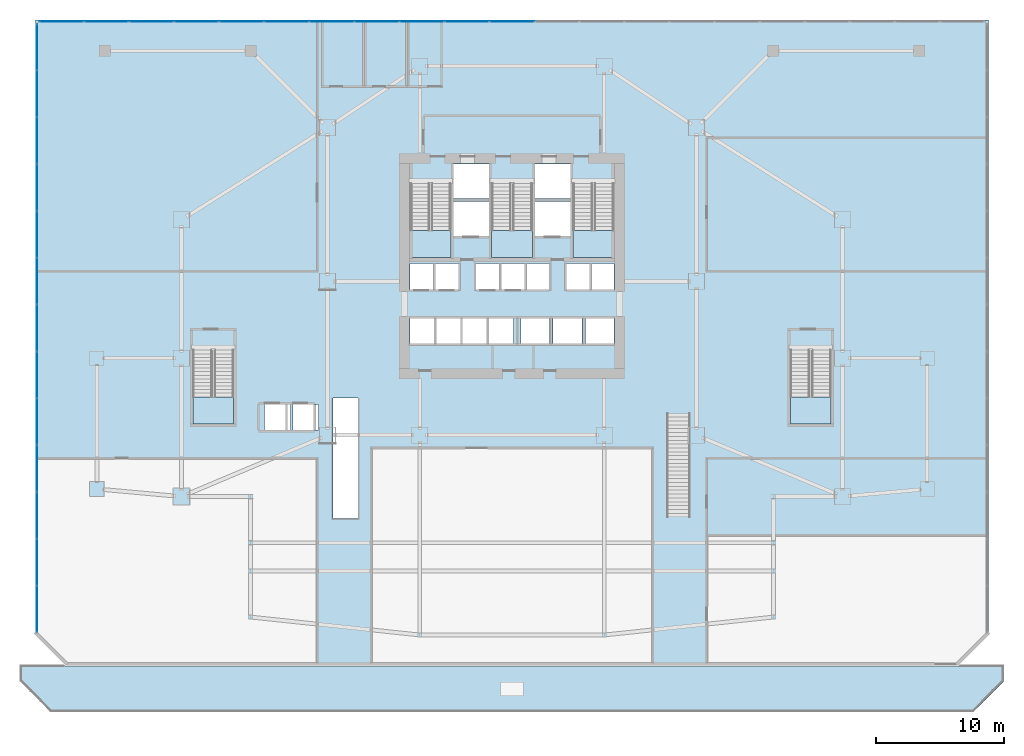
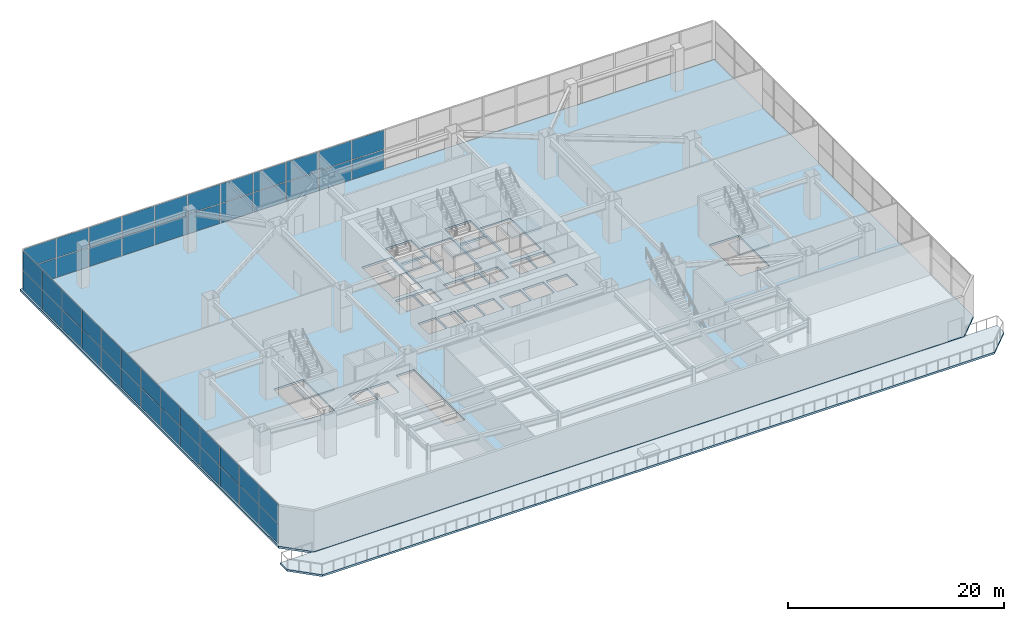
# One storey, part 22 of 31: 48 plates, 7 slabs, 7 elements without a shape of their own.
"""IFC4 building model written with IfcOpenShell, lengths in metres."""

import ifcopenshell
import ifcopenshell.guid

model = None  # the IFC model being written
_history = None  # IfcOwnerHistory: only IFC2X3 demands one
_inside = {}  # id of a spatial element -> (the spatial element, [elements in it])
_under = {}  # id of a project, library or spatial element -> (it, [spatial elements below it])
_declared = {}  # id of a project -> (the project, [libraries it declares])
_typed = {}  # id of a type object -> (the type object, [elements of that type])
_made_of = {}  # id of a material, layer set ... -> (it, [elements and type objects made of it])


def new_model(schema):
    """Start an empty IFC model of exactly this schema.

    Asked for "IFC4X3", IfcOpenShell would pick the latest addendum, in which some entities
    have other attributes; the version numbers below select the first issue.
    IFC2X3 requires an IfcOwnerHistory on every rooted entity: one is made here for all.
    """
    global model, _history
    if schema == "IFC4X3":
        model = ifcopenshell.file(schema_version=(4, 3, 0, 0))
    else:
        model = ifcopenshell.file(schema=schema)
    _inside.clear()
    _under.clear()
    _declared.clear()
    _typed.clear()
    _made_of.clear()
    _history = None
    if model.schema == "IFC2X3":
        org = make("IfcOrganization", Name="unknown")
        user = make(
            "IfcPersonAndOrganization",
            ThePerson=make("IfcPerson", FamilyName="unknown"),
            TheOrganization=org,
        )
        app = make(
            "IfcApplication",
            ApplicationDeveloper=org,
            Version="unknown",
            ApplicationFullName="unknown",
            ApplicationIdentifier="unknown",
        )
        _history = make(
            "IfcOwnerHistory",
            OwningUser=user,
            OwningApplication=app,
            ChangeAction="ADDED",
            CreationDate=0,
        )
    return model


def make(cls, **values):
    """One entity of the class cls with the attributes given. An attribute that is None is left unset."""
    return model.create_entity(
        cls, **{name: value for name, value in values.items() if value is not None}
    )


def rooted(cls, **values):
    """An entity with a GlobalId (a new one), such as an element, a storey or a relation."""
    return make(cls, GlobalId=ifcopenshell.guid.new(), OwnerHistory=_history, **values)


def si_unit(unit_type, name, prefix=None):
    """IfcSIUnit, for example si_unit("LENGTHUNIT", "METRE", prefix="MILLI")."""
    return make("IfcSIUnit", UnitType=unit_type, Prefix=prefix, Name=name)


def assignment(units):
    """IfcUnitAssignment: the units of a project."""
    return None if units is None else make("IfcUnitAssignment", Units=units)


def point(xyz):
    """IfcCartesianPoint."""
    return None if xyz is None else make("IfcCartesianPoint", Coordinates=xyz)


def direction(xyz):
    """IfcDirection."""
    return None if xyz is None else make("IfcDirection", DirectionRatios=xyz)


def frame(location, z_axis=None, x_axis=None):
    """IfcAxis2Placement3D, a coordinate frame: its origin and axes. An axis left out is left unset."""
    return make(
        "IfcAxis2Placement3D",
        Location=point(location),
        Axis=direction(z_axis),
        RefDirection=direction(x_axis),
    )


def frame_2d(location, x_axis=None):
    """IfcAxis2Placement2D, a coordinate frame in the plane: its origin and x axis."""
    return make(
        "IfcAxis2Placement2D", Location=point(location), RefDirection=direction(x_axis)
    )


def origin():
    """The frame at (0, 0, 0) with its axes left unset."""
    return frame((0.0, 0.0, 0.0))


def origin_2d():
    """The frame at (0, 0) in the plane with its x axis left unset."""
    return frame_2d((0.0, 0.0))


def place(relative_to, where):
    """IfcLocalPlacement: puts the frame where relative to a parent placement (None: the world)."""
    return make(
        "IfcLocalPlacement", PlacementRelTo=relative_to, RelativePlacement=where
    )


def context(
    kind, dimensions, precision=None, world=None, true_north=None, identifier=None
):
    """IfcGeometricRepresentationContext, for example the 3D "Model" context."""
    return make(
        "IfcGeometricRepresentationContext",
        ContextIdentifier=identifier,
        ContextType=kind,
        CoordinateSpaceDimension=dimensions,
        Precision=precision,
        WorldCoordinateSystem=world,
        TrueNorth=true_north,
    )


def subcontext(parent, identifier, kind, view, scale=None):
    """IfcGeometricRepresentationSubContext, for example "Body" below "Model"."""
    return make(
        "IfcGeometricRepresentationSubContext",
        ContextIdentifier=identifier,
        ContextType=kind,
        ParentContext=parent,
        TargetScale=scale,
        TargetView=view,
    )


def project(units=None, contexts=None):
    """IfcProject with its units and contexts."""
    return rooted(
        "IfcProject",
        Name="project",
        RepresentationContexts=contexts,
        UnitsInContext=assignment(units),
    )


def spatial(cls, under=None, at=None, **own):
    """A site, building, storey or space (cls), placed at a placement, below another one or the project."""
    s = rooted(cls, ObjectPlacement=at, **own)
    if under is not None:
        _under.setdefault(under.id(), (under, []))[1].append(s)
    return s


def polyline(points):
    """IfcPolyline through the points."""
    return make("IfcPolyline", Points=[point(p) for p in points])


def profile(cls, at=None, kind="AREA", **sizes):
    """A parametric profile (cls). Its sizes go by their IFC names, for example OverallWidth=200.0."""
    return make(cls, ProfileType=kind, Position=at, **sizes)


def rectangle(**sizes):
    """IfcRectangleProfileDef."""
    return profile("IfcRectangleProfileDef", **sizes)


def outline(outer, holes=None, kind="AREA"):
    """IfcArbitraryClosedProfileDef: a profile drawn as a closed curve; with holes, ...WithVoids."""
    if holes is None:
        return make("IfcArbitraryClosedProfileDef", ProfileType=kind, OuterCurve=outer)
    return make(
        "IfcArbitraryProfileDefWithVoids",
        ProfileType=kind,
        OuterCurve=outer,
        InnerCurves=holes,
    )


def extrude(swept, where, along, depth):
    """IfcExtrudedAreaSolid: the profile swept, set in the frame where, extruded along a direction by depth."""
    return make(
        "IfcExtrudedAreaSolid",
        SweptArea=swept,
        Position=where,
        ExtrudedDirection=direction(along),
        Depth=depth,
    )


def shape(context_of_items, identifier, shape_type, items):
    """IfcShapeRepresentation: the items that make up one representation, for example the "Body"."""
    return make(
        "IfcShapeRepresentation",
        ContextOfItems=context_of_items,
        RepresentationIdentifier=identifier,
        RepresentationType=shape_type,
        Items=items,
    )


def material(Name=None, Category=None):
    """IfcMaterial."""
    return make("IfcMaterial", Name=Name, Category=Category)


def layer(
    of_material, thickness, ventilated=None, Name=None, Category=None, Priority=None
):
    """IfcMaterialLayer: one layer of a wall or slab, of a material (None: an air gap)."""
    return make(
        "IfcMaterialLayer",
        Material=of_material,
        LayerThickness=thickness,
        IsVentilated=ventilated,
        Name=Name,
        Category=Category,
        Priority=Priority,
    )


def layer_set(layers, Name=None):
    """IfcMaterialLayerSet."""
    return make("IfcMaterialLayerSet", MaterialLayers=layers, LayerSetName=Name)


def made_of(thing, what):
    """Note that an element or type object is made of a material, layer set ...; save() writes the relation."""
    if what is not None:
        _made_of.setdefault(what.id(), (what, []))[1].append(thing)
    return thing


def type_object(cls, material=None, **own):
    """A type object (cls), such as IfcWallType, which elements share."""
    return made_of(rooted(cls, **own), material)


def element(
    cls,
    number,
    at=None,
    inside=None,
    cuts=None,
    type_object=None,
    material=None,
    context=None,
    identifier="Body",
    shape_type=None,
    held_by="IfcProductDefinitionShape",
    body=None,
    shapes=None,
    **own,
):
    """One element of the class cls, such as IfcWall. Its Tag is "e" and its number.

    at: its placement. inside: the storey or other place that contains it. cuts: it is an
    opening in that element (IfcRelVoidsElement). A single representation is given by context,
    identifier, shape_type and body (its items); several are given by shapes. held_by: the class
    of the entity that holds the representations. save() writes the other relations.
    """
    e = rooted(cls, Tag="e%d" % number, ObjectPlacement=at, **own)
    if body is not None:
        shapes = [shape(context, identifier, shape_type, body)]
    if shapes is not None:
        e.Representation = make(held_by, Representations=shapes)
    if inside is not None:
        _inside.setdefault(inside.id(), (inside, []))[1].append(e)
    if cuts is not None:
        rooted(
            "IfcRelVoidsElement", RelatingBuildingElement=cuts, RelatedOpeningElement=e
        )
    if type_object is not None:
        _typed.setdefault(type_object.id(), (type_object, []))[1].append(e)
    return made_of(e, material)


def aggregate(whole, parts):
    """IfcRelAggregates: a whole, such as a stair, and the parts it consists of."""
    return rooted("IfcRelAggregates", RelatingObject=whole, RelatedObjects=parts)


def save(model, path):
    """Write the relations noted so far, then the file.

    IfcRelAggregates (storeys below a building ...), IfcRelContainedInSpatialStructure (elements
    in a storey), IfcRelDefinesByType, IfcRelAssociatesMaterial and IfcRelDeclares: one each for
    every whole, place, type object, material and project.
    """
    for whole, parts in _under.values():
        aggregate(whole, parts)
    for where, things in _inside.values():
        rooted(
            "IfcRelContainedInSpatialStructure",
            RelatedElements=things,
            RelatingStructure=where,
        )
    for kind, things in _typed.values():
        rooted("IfcRelDefinesByType", RelatedObjects=things, RelatingType=kind)
    for what, things in _made_of.values():
        rooted("IfcRelAssociatesMaterial", RelatedObjects=things, RelatingMaterial=what)
    for by, libraries in _declared.values():
        rooted("IfcRelDeclares", RelatingContext=by, RelatedDefinitions=libraries)
    model.write(path)


model = new_model("IFC4")

# Units and contexts
model_context = context("Model", 3, precision=1e-05, world=origin(), true_north=direction((0.0, 1.0)))
body_context = subcontext(model_context, "Body", "Model", "MODEL_VIEW")
ifc_project = project(units=[si_unit("LENGTHUNIT", "METRE"), si_unit("AREAUNIT", "SQUARE_METRE"), si_unit("VOLUMEUNIT", "CUBIC_METRE"), si_unit("PLANEANGLEUNIT", "RADIAN"), si_unit("MASSUNIT", "GRAM", prefix="KILO")], contexts=[model_context])

# Site, building, storey
site_placement = place(None, origin())
site = spatial("IfcSite", under=ifc_project, at=site_placement, CompositionType="ELEMENT")
building_placement = place(site_placement, origin())
building = spatial("IfcBuilding", under=site, at=building_placement, Name="Haolan Belvedere Tower", CompositionType="ELEMENT")
storey_placement = place(building_placement, frame((0.0, 0.0, 5.39990234375)))
storey = spatial("IfcBuildingStorey", under=building, at=storey_placement, Name="L01", CompositionType="ELEMENT", Elevation=5.39990234375)

# Curtain wall, plates
ifc_material_1 = material(Name="Anodised champagne-silver aluminium 6063-T6 and Low-E glass", Category="aluminium")
ifc_layer_1 = layer(ifc_material_1, 0.179931640625, Name="Anodised champagne-silver aluminium 6063-T6 and Low-E glass")
ifc_layer_set_1 = layer_set([ifc_layer_1], Name="Anodised champagne-silver aluminium 6063-T6 and Low-E glass")
curtain_wall_type = type_object("IfcCurtainWallType", Name="CW-SYS-01", PredefinedType="NOTDEFINED", material=ifc_layer_set_1)
curtain_wall_1_placement = place(storey_placement, origin())
curtain_wall_1 = element("IfcCurtainWall", 1, at=curtain_wall_1_placement, inside=storey, type_object=curtain_wall_type, Name="L01 CW-SYS-01 ribbon curtain wall 3.1", PredefinedType="NOTDEFINED")
ifc_material_2 = material(Name="Double silver Low-E laminated insulating glass", Category="glass")
ifc_layer_2 = layer(ifc_material_2, 0.028076171875, Name="Double silver Low-E laminated insulating glass")
ifc_layer_set_2 = layer_set([ifc_layer_2], Name="Double silver Low-E laminated insulating glass")
plate_type = type_object("IfcPlateType", Name="CW-SYS-01-PNL", PredefinedType="CURTAIN_PANEL", material=ifc_layer_set_2)
plate_1_placement = place(storey_placement, frame((38.39990234375, 53.8701171875, 0.06005859375), z_axis=(0.0, 0.0, 1.0), x_axis=(-1.0, 0.0, 0.0)))
plate_1 = element("IfcPlate", 2, at=plate_1_placement, type_object=plate_type, Name="CW-01 panel 11.1", PredefinedType="CURTAIN_PANEL", context=body_context, shape_type="SweptSolid", body=[
    extrude(rectangle(XDim=3.4521484375, YDim=0.028076171875, at=origin_2d()), origin(), (0.0, 0.0, 1.0), 2.18994140625),
])
plate_2_placement = place(storey_placement, frame((38.39990234375, 53.8701171875, 2.31005859375), z_axis=(0.0, 0.0, 1.0), x_axis=(-1.0, 0.0, 0.0)))
plate_2 = element("IfcPlate", 3, at=plate_2_placement, type_object=plate_type, Name="CW-01 panel 11.2", PredefinedType="CURTAIN_PANEL", context=body_context, shape_type="SweptSolid", body=[
    extrude(rectangle(XDim=3.4521484375, YDim=0.028076171875, at=origin_2d()), origin(), (0.0, 0.0, 1.0), 2.18994140625),
])
plate_3_placement = place(storey_placement, frame((34.8828125, 53.8701171875, 0.06005859375), z_axis=(0.0, 0.0, 1.0), x_axis=(-1.0, 0.0, 0.0)))
plate_3 = element("IfcPlate", 4, at=plate_3_placement, type_object=plate_type, Name="CW-01 panel 12.1", PredefinedType="CURTAIN_PANEL", context=body_context, shape_type="SweptSolid", body=[
    extrude(rectangle(XDim=3.4521484375, YDim=0.028076171875, at=origin_2d()), origin(), (0.0, 0.0, 1.0), 2.18994140625),
])
plate_4_placement = place(storey_placement, frame((34.8828125, 53.8701171875, 2.31005859375), z_axis=(0.0, 0.0, 1.0), x_axis=(-1.0, 0.0, 0.0)))
plate_4 = element("IfcPlate", 5, at=plate_4_placement, type_object=plate_type, Name="CW-01 panel 12.2", PredefinedType="CURTAIN_PANEL", context=body_context, shape_type="SweptSolid", body=[
    extrude(rectangle(XDim=3.4521484375, YDim=0.028076171875, at=origin_2d()), origin(), (0.0, 0.0, 1.0), 2.18994140625),
])
plate_5_placement = place(storey_placement, frame((31.36572265625, 53.8701171875, 0.06005859375), z_axis=(0.0, 0.0, 1.0), x_axis=(-1.0, 0.0, 0.0)))
plate_5 = element("IfcPlate", 6, at=plate_5_placement, type_object=plate_type, Name="CW-01 panel 13.1", PredefinedType="CURTAIN_PANEL", context=body_context, shape_type="SweptSolid", body=[
    extrude(rectangle(XDim=3.4521484375, YDim=0.028076171875, at=origin_2d()), origin(), (0.0, 0.0, 1.0), 2.18994140625),
])
plate_6_placement = place(storey_placement, frame((31.36572265625, 53.8701171875, 2.31005859375), z_axis=(0.0, 0.0, 1.0), x_axis=(-1.0, 0.0, 0.0)))
plate_6 = element("IfcPlate", 7, at=plate_6_placement, type_object=plate_type, Name="CW-01 panel 13.2", PredefinedType="CURTAIN_PANEL", context=body_context, shape_type="SweptSolid", body=[
    extrude(rectangle(XDim=3.4521484375, YDim=0.028076171875, at=origin_2d()), origin(), (0.0, 0.0, 1.0), 2.18994140625),
])
plate_7_placement = place(storey_placement, frame((27.8486328125, 53.8701171875, 0.06005859375), z_axis=(0.0, 0.0, 1.0), x_axis=(-1.0, 0.0, 0.0)))
plate_7 = element("IfcPlate", 8, at=plate_7_placement, type_object=plate_type, Name="CW-01 panel 14.1", PredefinedType="CURTAIN_PANEL", context=body_context, shape_type="SweptSolid", body=[
    extrude(rectangle(XDim=3.4521484375, YDim=0.028076171875, at=origin_2d()), origin(), (0.0, 0.0, 1.0), 2.18994140625),
])
plate_8_placement = place(storey_placement, frame((27.8486328125, 53.8701171875, 2.31005859375), z_axis=(0.0, 0.0, 1.0), x_axis=(-1.0, 0.0, 0.0)))
plate_8 = element("IfcPlate", 9, at=plate_8_placement, type_object=plate_type, Name="CW-01 panel 14.2", PredefinedType="CURTAIN_PANEL", context=body_context, shape_type="SweptSolid", body=[
    extrude(rectangle(XDim=3.4521484375, YDim=0.028076171875, at=origin_2d()), origin(), (0.0, 0.0, 1.0), 2.18994140625),
])
plate_9_placement = place(storey_placement, frame((24.33154296875, 53.8701171875, 0.06005859375), z_axis=(0.0, 0.0, 1.0), x_axis=(-1.0, 0.0, 0.0)))
plate_9 = element("IfcPlate", 10, at=plate_9_placement, type_object=plate_type, Name="CW-01 panel 15.1", PredefinedType="CURTAIN_PANEL", context=body_context, shape_type="SweptSolid", body=[
    extrude(rectangle(XDim=3.4521484375, YDim=0.028076171875, at=origin_2d()), origin(), (0.0, 0.0, 1.0), 2.18994140625),
])
plate_10_placement = place(storey_placement, frame((24.33154296875, 53.8701171875, 2.31005859375), z_axis=(0.0, 0.0, 1.0), x_axis=(-1.0, 0.0, 0.0)))
plate_10 = element("IfcPlate", 11, at=plate_10_placement, type_object=plate_type, Name="CW-01 panel 15.2", PredefinedType="CURTAIN_PANEL", context=body_context, shape_type="SweptSolid", body=[
    extrude(rectangle(XDim=3.4521484375, YDim=0.028076171875, at=origin_2d()), origin(), (0.0, 0.0, 1.0), 2.18994140625),
])
plate_11_placement = place(storey_placement, frame((20.814208984375, 53.8701171875, 0.06005859375), z_axis=(0.0, 0.0, 1.0), x_axis=(-1.0, 0.0, 0.0)))
plate_11 = element("IfcPlate", 12, at=plate_11_placement, type_object=plate_type, Name="CW-01 panel 16.1", PredefinedType="CURTAIN_PANEL", context=body_context, shape_type="SweptSolid", body=[
    extrude(rectangle(XDim=3.4521484375, YDim=0.028076171875, at=origin_2d()), origin(), (0.0, 0.0, 1.0), 2.18994140625),
])
plate_12_placement = place(storey_placement, frame((20.814208984375, 53.8701171875, 2.31005859375), z_axis=(0.0, 0.0, 1.0), x_axis=(-1.0, 0.0, 0.0)))
plate_12 = element("IfcPlate", 13, at=plate_12_placement, type_object=plate_type, Name="CW-01 panel 16.2", PredefinedType="CURTAIN_PANEL", context=body_context, shape_type="SweptSolid", body=[
    extrude(rectangle(XDim=3.4521484375, YDim=0.028076171875, at=origin_2d()), origin(), (0.0, 0.0, 1.0), 2.18994140625),
])
plate_13_placement = place(storey_placement, frame((17.297119140625, 53.8701171875, 0.06005859375), z_axis=(0.0, 0.0, 1.0), x_axis=(-1.0, 0.0, 0.0)))
plate_13 = element("IfcPlate", 14, at=plate_13_placement, type_object=plate_type, Name="CW-01 panel 17.1", PredefinedType="CURTAIN_PANEL", context=body_context, shape_type="SweptSolid", body=[
    extrude(rectangle(XDim=3.4521484375, YDim=0.028076171875, at=origin_2d()), origin(), (0.0, 0.0, 1.0), 2.18994140625),
])
plate_14_placement = place(storey_placement, frame((17.297119140625, 53.8701171875, 2.31005859375), z_axis=(0.0, 0.0, 1.0), x_axis=(-1.0, 0.0, 0.0)))
plate_14 = element("IfcPlate", 15, at=plate_14_placement, type_object=plate_type, Name="CW-01 panel 17.2", PredefinedType="CURTAIN_PANEL", context=body_context, shape_type="SweptSolid", body=[
    extrude(rectangle(XDim=3.4521484375, YDim=0.028076171875, at=origin_2d()), origin(), (0.0, 0.0, 1.0), 2.18994140625),
])
plate_15_placement = place(storey_placement, frame((13.780029296875, 53.8701171875, 0.06005859375), z_axis=(0.0, 0.0, 1.0), x_axis=(-1.0, 0.0, 0.0)))
plate_15 = element("IfcPlate", 16, at=plate_15_placement, type_object=plate_type, Name="CW-01 panel 18.1", PredefinedType="CURTAIN_PANEL", context=body_context, shape_type="SweptSolid", body=[
    extrude(rectangle(XDim=3.4521484375, YDim=0.028076171875, at=origin_2d()), origin(), (0.0, 0.0, 1.0), 2.18994140625),
])
plate_16_placement = place(storey_placement, frame((13.780029296875, 53.8701171875, 2.31005859375), z_axis=(0.0, 0.0, 1.0), x_axis=(-1.0, 0.0, 0.0)))
plate_16 = element("IfcPlate", 17, at=plate_16_placement, type_object=plate_type, Name="CW-01 panel 18.2", PredefinedType="CURTAIN_PANEL", context=body_context, shape_type="SweptSolid", body=[
    extrude(rectangle(XDim=3.4521484375, YDim=0.028076171875, at=origin_2d()), origin(), (0.0, 0.0, 1.0), 2.18994140625),
])
plate_17_placement = place(storey_placement, frame((10.262939453125, 53.8701171875, 0.06005859375), z_axis=(0.0, 0.0, 1.0), x_axis=(-1.0, 0.0, 0.0)))
plate_17 = element("IfcPlate", 18, at=plate_17_placement, type_object=plate_type, Name="CW-01 panel 19.1", PredefinedType="CURTAIN_PANEL", context=body_context, shape_type="SweptSolid", body=[
    extrude(rectangle(XDim=3.4521484375, YDim=0.028076171875, at=origin_2d()), origin(), (0.0, 0.0, 1.0), 2.18994140625),
])
plate_18_placement = place(storey_placement, frame((10.262939453125, 53.8701171875, 2.31005859375), z_axis=(0.0, 0.0, 1.0), x_axis=(-1.0, 0.0, 0.0)))
plate_18 = element("IfcPlate", 19, at=plate_18_placement, type_object=plate_type, Name="CW-01 panel 19.2", PredefinedType="CURTAIN_PANEL", context=body_context, shape_type="SweptSolid", body=[
    extrude(rectangle(XDim=3.4521484375, YDim=0.028076171875, at=origin_2d()), origin(), (0.0, 0.0, 1.0), 2.18994140625),
])
plate_19_placement = place(storey_placement, frame((6.74560546875, 53.8701171875, 0.06005859375), z_axis=(0.0, 0.0, 1.0), x_axis=(-1.0, 0.0, 0.0)))
plate_19 = element("IfcPlate", 20, at=plate_19_placement, type_object=plate_type, Name="CW-01 panel 20.1", PredefinedType="CURTAIN_PANEL", context=body_context, shape_type="SweptSolid", body=[
    extrude(rectangle(XDim=3.4521484375, YDim=0.028076171875, at=origin_2d()), origin(), (0.0, 0.0, 1.0), 2.18994140625),
])
plate_20_placement = place(storey_placement, frame((6.74560546875, 53.8701171875, 2.31005859375), z_axis=(0.0, 0.0, 1.0), x_axis=(-1.0, 0.0, 0.0)))
plate_20 = element("IfcPlate", 21, at=plate_20_placement, type_object=plate_type, Name="CW-01 panel 20.2", PredefinedType="CURTAIN_PANEL", context=body_context, shape_type="SweptSolid", body=[
    extrude(rectangle(XDim=3.4521484375, YDim=0.028076171875, at=origin_2d()), origin(), (0.0, 0.0, 1.0), 2.18994140625),
])
plate_21_placement = place(storey_placement, frame((3.244873046875, 53.8701171875, 0.06005859375), z_axis=(0.0, 0.0, 1.0), x_axis=(-1.0, 0.0, 0.0)))
plate_21 = element("IfcPlate", 22, at=plate_21_placement, type_object=plate_type, Name="CW-01 panel 21.1", PredefinedType="CURTAIN_PANEL", context=body_context, shape_type="SweptSolid", body=[
    extrude(rectangle(XDim=3.419677734375, YDim=0.028076171875, at=origin_2d()), origin(), (0.0, 0.0, 1.0), 2.18994140625),
])
plate_22_placement = place(storey_placement, frame((3.244873046875, 53.8701171875, 2.31005859375), z_axis=(0.0, 0.0, 1.0), x_axis=(-1.0, 0.0, 0.0)))
plate_22 = element("IfcPlate", 23, at=plate_22_placement, type_object=plate_type, Name="CW-01 panel 21.2", PredefinedType="CURTAIN_PANEL", context=body_context, shape_type="SweptSolid", body=[
    extrude(rectangle(XDim=3.419677734375, YDim=0.028076171875, at=origin_2d()), origin(), (0.0, 0.0, 1.0), 2.18994140625),
])
aggregate(curtain_wall_1, [plate_1, plate_2, plate_3, plate_4, plate_5, plate_6, plate_7, plate_8, plate_9, plate_10, plate_11, plate_12, plate_13, plate_14, plate_15, plate_16, plate_17, plate_18, plate_19, plate_20, plate_21, plate_22])

curtain_wall_2_placement = place(storey_placement, origin())
curtain_wall_2 = element("IfcCurtainWall", 24, at=curtain_wall_2_placement, inside=storey, type_object=curtain_wall_type, Name="L01 CW-SYS-01 ribbon curtain wall 4.1", PredefinedType="NOTDEFINED")
plate_23_placement = place(storey_placement, frame((1.330078125, 51.885498046875, 0.06005859375), z_axis=(0.0, 0.0, 1.0), x_axis=(0.0, -1.0, 0.0)))
plate_23 = element("IfcPlate", 25, at=plate_23_placement, type_object=plate_type, Name="CW-01 panel 1.1", PredefinedType="CURTAIN_PANEL", context=body_context, shape_type="SweptSolid", body=[
    extrude(rectangle(XDim=3.55908203125, YDim=0.028076171875, at=origin_2d()), origin(), (0.0, 0.0, 1.0), 2.18994140625),
])
plate_24_placement = place(storey_placement, frame((1.330078125, 51.885498046875, 2.31005859375), z_axis=(0.0, 0.0, 1.0), x_axis=(0.0, -1.0, 0.0)))
plate_24 = element("IfcPlate", 26, at=plate_24_placement, type_object=plate_type, Name="CW-01 panel 1.2", PredefinedType="CURTAIN_PANEL", context=body_context, shape_type="SweptSolid", body=[
    extrude(rectangle(XDim=3.55908203125, YDim=0.028076171875, at=origin_2d()), origin(), (0.0, 0.0, 1.0), 2.18994140625),
])
plate_25_placement = place(storey_placement, frame((1.330078125, 48.2451171875, 0.06005859375), z_axis=(0.0, 0.0, 1.0), x_axis=(0.0, -1.0, 0.0)))
plate_25 = element("IfcPlate", 27, at=plate_25_placement, type_object=plate_type, Name="CW-01 panel 2.1", PredefinedType="CURTAIN_PANEL", context=body_context, shape_type="SweptSolid", body=[
    extrude(rectangle(XDim=3.591552734375, YDim=0.028076171875, at=origin_2d()), origin(), (0.0, 0.0, 1.0), 2.18994140625),
])
plate_26_placement = place(storey_placement, frame((1.330078125, 48.2451171875, 2.31005859375), z_axis=(0.0, 0.0, 1.0), x_axis=(0.0, -1.0, 0.0)))
plate_26 = element("IfcPlate", 28, at=plate_26_placement, type_object=plate_type, Name="CW-01 panel 2.2", PredefinedType="CURTAIN_PANEL", context=body_context, shape_type="SweptSolid", body=[
    extrude(rectangle(XDim=3.591552734375, YDim=0.028076171875, at=origin_2d()), origin(), (0.0, 0.0, 1.0), 2.18994140625),
])
plate_27_placement = place(storey_placement, frame((1.330078125, 44.58837890625, 0.06005859375), z_axis=(0.0, 0.0, 1.0), x_axis=(0.0, -1.0, 0.0)))
plate_27 = element("IfcPlate", 29, at=plate_27_placement, type_object=plate_type, Name="CW-01 panel 3.1", PredefinedType="CURTAIN_PANEL", context=body_context, shape_type="SweptSolid", body=[
    extrude(rectangle(XDim=3.591552734375, YDim=0.028076171875, at=origin_2d()), origin(), (0.0, 0.0, 1.0), 2.18994140625),
])
plate_28_placement = place(storey_placement, frame((1.330078125, 44.58837890625, 2.31005859375), z_axis=(0.0, 0.0, 1.0), x_axis=(0.0, -1.0, 0.0)))
plate_28 = element("IfcPlate", 30, at=plate_28_placement, type_object=plate_type, Name="CW-01 panel 3.2", PredefinedType="CURTAIN_PANEL", context=body_context, shape_type="SweptSolid", body=[
    extrude(rectangle(XDim=3.591552734375, YDim=0.028076171875, at=origin_2d()), origin(), (0.0, 0.0, 1.0), 2.18994140625),
])
plate_29_placement = place(storey_placement, frame((1.330078125, 40.931884765625, 0.06005859375), z_axis=(0.0, 0.0, 1.0), x_axis=(0.0, -1.0, 0.0)))
plate_29 = element("IfcPlate", 31, at=plate_29_placement, type_object=plate_type, Name="CW-01 panel 4.1", PredefinedType="CURTAIN_PANEL", context=body_context, shape_type="SweptSolid", body=[
    extrude(rectangle(XDim=3.591552734375, YDim=0.028076171875, at=origin_2d()), origin(), (0.0, 0.0, 1.0), 2.18994140625),
])
plate_30_placement = place(storey_placement, frame((1.330078125, 40.931884765625, 2.31005859375), z_axis=(0.0, 0.0, 1.0), x_axis=(0.0, -1.0, 0.0)))
plate_30 = element("IfcPlate", 32, at=plate_30_placement, type_object=plate_type, Name="CW-01 panel 4.2", PredefinedType="CURTAIN_PANEL", context=body_context, shape_type="SweptSolid", body=[
    extrude(rectangle(XDim=3.591552734375, YDim=0.028076171875, at=origin_2d()), origin(), (0.0, 0.0, 1.0), 2.18994140625),
])
plate_31_placement = place(storey_placement, frame((1.330078125, 37.275146484375, 0.06005859375), z_axis=(0.0, 0.0, 1.0), x_axis=(0.0, -1.0, 0.0)))
plate_31 = element("IfcPlate", 33, at=plate_31_placement, type_object=plate_type, Name="CW-01 panel 5.1", PredefinedType="CURTAIN_PANEL", context=body_context, shape_type="SweptSolid", body=[
    extrude(rectangle(XDim=3.591552734375, YDim=0.028076171875, at=origin_2d()), origin(), (0.0, 0.0, 1.0), 2.18994140625),
])
plate_32_placement = place(storey_placement, frame((1.330078125, 37.275146484375, 2.31005859375), z_axis=(0.0, 0.0, 1.0), x_axis=(0.0, -1.0, 0.0)))
plate_32 = element("IfcPlate", 34, at=plate_32_placement, type_object=plate_type, Name="CW-01 panel 5.2", PredefinedType="CURTAIN_PANEL", context=body_context, shape_type="SweptSolid", body=[
    extrude(rectangle(XDim=3.591552734375, YDim=0.028076171875, at=origin_2d()), origin(), (0.0, 0.0, 1.0), 2.18994140625),
])
plate_33_placement = place(storey_placement, frame((1.330078125, 33.61865234375, 0.06005859375), z_axis=(0.0, 0.0, 1.0), x_axis=(0.0, -1.0, 0.0)))
plate_33 = element("IfcPlate", 35, at=plate_33_placement, type_object=plate_type, Name="CW-01 panel 6.1", PredefinedType="CURTAIN_PANEL", context=body_context, shape_type="SweptSolid", body=[
    extrude(rectangle(XDim=3.591552734375, YDim=0.028076171875, at=origin_2d()), origin(), (0.0, 0.0, 1.0), 2.18994140625),
])
plate_34_placement = place(storey_placement, frame((1.330078125, 33.61865234375, 2.31005859375), z_axis=(0.0, 0.0, 1.0), x_axis=(0.0, -1.0, 0.0)))
plate_34 = element("IfcPlate", 36, at=plate_34_placement, type_object=plate_type, Name="CW-01 panel 6.2", PredefinedType="CURTAIN_PANEL", context=body_context, shape_type="SweptSolid", body=[
    extrude(rectangle(XDim=3.591552734375, YDim=0.028076171875, at=origin_2d()), origin(), (0.0, 0.0, 1.0), 2.18994140625),
])
plate_35_placement = place(storey_placement, frame((1.330078125, 29.9619140625, 0.06005859375), z_axis=(0.0, 0.0, 1.0), x_axis=(0.0, -1.0, 0.0)))
plate_35 = element("IfcPlate", 37, at=plate_35_placement, type_object=plate_type, Name="CW-01 panel 7.1", PredefinedType="CURTAIN_PANEL", context=body_context, shape_type="SweptSolid", body=[
    extrude(rectangle(XDim=3.591552734375, YDim=0.028076171875, at=origin_2d()), origin(), (0.0, 0.0, 1.0), 2.18994140625),
])
plate_36_placement = place(storey_placement, frame((1.330078125, 29.9619140625, 2.31005859375), z_axis=(0.0, 0.0, 1.0), x_axis=(0.0, -1.0, 0.0)))
plate_36 = element("IfcPlate", 38, at=plate_36_placement, type_object=plate_type, Name="CW-01 panel 7.2", PredefinedType="CURTAIN_PANEL", context=body_context, shape_type="SweptSolid", body=[
    extrude(rectangle(XDim=3.591552734375, YDim=0.028076171875, at=origin_2d()), origin(), (0.0, 0.0, 1.0), 2.18994140625),
])
plate_37_placement = place(storey_placement, frame((1.330078125, 26.30517578125, 0.06005859375), z_axis=(0.0, 0.0, 1.0), x_axis=(0.0, -1.0, 0.0)))
plate_37 = element("IfcPlate", 39, at=plate_37_placement, type_object=plate_type, Name="CW-01 panel 8.1", PredefinedType="CURTAIN_PANEL", context=body_context, shape_type="SweptSolid", body=[
    extrude(rectangle(XDim=3.591552734375, YDim=0.028076171875, at=origin_2d()), origin(), (0.0, 0.0, 1.0), 2.18994140625),
])
plate_38_placement = place(storey_placement, frame((1.330078125, 26.30517578125, 2.31005859375), z_axis=(0.0, 0.0, 1.0), x_axis=(0.0, -1.0, 0.0)))
plate_38 = element("IfcPlate", 40, at=plate_38_placement, type_object=plate_type, Name="CW-01 panel 8.2", PredefinedType="CURTAIN_PANEL", context=body_context, shape_type="SweptSolid", body=[
    extrude(rectangle(XDim=3.591552734375, YDim=0.028076171875, at=origin_2d()), origin(), (0.0, 0.0, 1.0), 2.18994140625),
])
plate_39_placement = place(storey_placement, frame((1.330078125, 22.648681640625, 0.06005859375), z_axis=(0.0, 0.0, 1.0), x_axis=(0.0, -1.0, 0.0)))
plate_39 = element("IfcPlate", 41, at=plate_39_placement, type_object=plate_type, Name="CW-01 panel 9.1", PredefinedType="CURTAIN_PANEL", context=body_context, shape_type="SweptSolid", body=[
    extrude(rectangle(XDim=3.591552734375, YDim=0.028076171875, at=origin_2d()), origin(), (0.0, 0.0, 1.0), 2.18994140625),
])
plate_40_placement = place(storey_placement, frame((1.330078125, 22.648681640625, 2.31005859375), z_axis=(0.0, 0.0, 1.0), x_axis=(0.0, -1.0, 0.0)))
plate_40 = element("IfcPlate", 42, at=plate_40_placement, type_object=plate_type, Name="CW-01 panel 9.2", PredefinedType="CURTAIN_PANEL", context=body_context, shape_type="SweptSolid", body=[
    extrude(rectangle(XDim=3.591552734375, YDim=0.028076171875, at=origin_2d()), origin(), (0.0, 0.0, 1.0), 2.18994140625),
])
plate_41_placement = place(storey_placement, frame((1.330078125, 18.991943359375, 0.06005859375), z_axis=(0.0, 0.0, 1.0), x_axis=(0.0, -1.0, 0.0)))
plate_41 = element("IfcPlate", 43, at=plate_41_placement, type_object=plate_type, Name="CW-01 panel 10.1", PredefinedType="CURTAIN_PANEL", context=body_context, shape_type="SweptSolid", body=[
    extrude(rectangle(XDim=3.591552734375, YDim=0.028076171875, at=origin_2d()), origin(), (0.0, 0.0, 1.0), 2.18994140625),
])
plate_42_placement = place(storey_placement, frame((1.330078125, 18.991943359375, 2.31005859375), z_axis=(0.0, 0.0, 1.0), x_axis=(0.0, -1.0, 0.0)))
plate_42 = element("IfcPlate", 44, at=plate_42_placement, type_object=plate_type, Name="CW-01 panel 10.2", PredefinedType="CURTAIN_PANEL", context=body_context, shape_type="SweptSolid", body=[
    extrude(rectangle(XDim=3.591552734375, YDim=0.028076171875, at=origin_2d()), origin(), (0.0, 0.0, 1.0), 2.18994140625),
])
plate_43_placement = place(storey_placement, frame((1.330078125, 15.33544921875, 0.06005859375), z_axis=(0.0, 0.0, 1.0), x_axis=(0.0, -1.0, 0.0)))
plate_43 = element("IfcPlate", 45, at=plate_43_placement, type_object=plate_type, Name="CW-01 panel 11.1", PredefinedType="CURTAIN_PANEL", context=body_context, shape_type="SweptSolid", body=[
    extrude(rectangle(XDim=3.591552734375, YDim=0.028076171875, at=origin_2d()), origin(), (0.0, 0.0, 1.0), 2.18994140625),
])
plate_44_placement = place(storey_placement, frame((1.330078125, 15.33544921875, 2.31005859375), z_axis=(0.0, 0.0, 1.0), x_axis=(0.0, -1.0, 0.0)))
plate_44 = element("IfcPlate", 46, at=plate_44_placement, type_object=plate_type, Name="CW-01 panel 11.2", PredefinedType="CURTAIN_PANEL", context=body_context, shape_type="SweptSolid", body=[
    extrude(rectangle(XDim=3.591552734375, YDim=0.028076171875, at=origin_2d()), origin(), (0.0, 0.0, 1.0), 2.18994140625),
])
plate_45_placement = place(storey_placement, frame((1.330078125, 11.6787109375, 0.06005859375), z_axis=(0.0, 0.0, 1.0), x_axis=(0.0, -1.0, 0.0)))
plate_45 = element("IfcPlate", 47, at=plate_45_placement, type_object=plate_type, Name="CW-01 panel 12.1", PredefinedType="CURTAIN_PANEL", context=body_context, shape_type="SweptSolid", body=[
    extrude(rectangle(XDim=3.591552734375, YDim=0.028076171875, at=origin_2d()), origin(), (0.0, 0.0, 1.0), 2.18994140625),
])
plate_46_placement = place(storey_placement, frame((1.330078125, 11.6787109375, 2.31005859375), z_axis=(0.0, 0.0, 1.0), x_axis=(0.0, -1.0, 0.0)))
plate_46 = element("IfcPlate", 48, at=plate_46_placement, type_object=plate_type, Name="CW-01 panel 12.2", PredefinedType="CURTAIN_PANEL", context=body_context, shape_type="SweptSolid", body=[
    extrude(rectangle(XDim=3.591552734375, YDim=0.028076171875, at=origin_2d()), origin(), (0.0, 0.0, 1.0), 2.18994140625),
])
plate_47_placement = place(storey_placement, frame((1.330078125, 8.038330078125, 0.06005859375), z_axis=(0.0, 0.0, 1.0), x_axis=(0.0, -1.0, 0.0)))
plate_47 = element("IfcPlate", 49, at=plate_47_placement, type_object=plate_type, Name="CW-01 panel 13.1", PredefinedType="CURTAIN_PANEL", context=body_context, shape_type="SweptSolid", body=[
    extrude(rectangle(XDim=3.55908203125, YDim=0.028076171875, at=origin_2d()), origin(), (0.0, 0.0, 1.0), 2.18994140625),
])
plate_48_placement = place(storey_placement, frame((1.330078125, 8.038330078125, 2.31005859375), z_axis=(0.0, 0.0, 1.0), x_axis=(0.0, -1.0, 0.0)))
plate_48 = element("IfcPlate", 50, at=plate_48_placement, type_object=plate_type, Name="CW-01 panel 13.2", PredefinedType="CURTAIN_PANEL", context=body_context, shape_type="SweptSolid", body=[
    extrude(rectangle(XDim=3.55908203125, YDim=0.028076171875, at=origin_2d()), origin(), (0.0, 0.0, 1.0), 2.18994140625),
])
aggregate(curtain_wall_2, [plate_23, plate_24, plate_25, plate_26, plate_27, plate_28, plate_29, plate_30, plate_31, plate_32, plate_33, plate_34, plate_35, plate_36, plate_37, plate_38, plate_39, plate_40, plate_41, plate_42, plate_43, plate_44, plate_45, plate_46, plate_47, plate_48])

# Slab
ifc_material_3 = material(Name="Concrete C40/50", Category="concrete")
ifc_layer_3 = layer(ifc_material_3, 0.239990234375, Name="Concrete C40/50")
ifc_layer_set_3 = layer_set([ifc_layer_3], Name="Concrete C40/50")
slab_type_1 = type_object("IfcSlabType", Name="SL-FLR-240", PredefinedType="FLOOR", material=ifc_layer_set_3)
slab_1_placement = place(storey_placement, frame((0.0, 0.0, -0.239990234375)))
element("IfcSlab", 51, at=slab_1_placement, inside=storey, type_object=slab_type_1, Name="L01 structural floor slab", PredefinedType="FLOOR", context=body_context, shape_type="SweptSolid", body=[
    extrude(outline(polyline([(3.60009765625, 3.60009765625), (73.199951171875, 3.60009765625), (75.60009765625, 6.0), (75.60009765625, 54.0), (1.199951171875, 54.0), (1.199951171875, 6.0), (3.60009765625, 3.60009765625)]), holes=[polyline([(30.449951171875, 41.22998046875), (30.449951171875, 35.449951171875), (33.6298828125, 35.449951171875), (33.6298828125, 41.22998046875), (30.449951171875, 41.22998046875)]), polyline([(36.81005859375, 41.22998046875), (36.81005859375, 35.449951171875), (39.989990234375, 35.449951171875), (39.989990234375, 41.22998046875), (36.81005859375, 41.22998046875)]), polyline([(43.169921875, 41.22998046875), (43.169921875, 35.449951171875), (46.35009765625, 35.449951171875), (46.35009765625, 41.22998046875), (43.169921875, 41.22998046875)]), polyline([(13.5, 28.22998046875), (13.5, 22.449951171875), (16.679931640625, 22.449951171875), (16.679931640625, 28.22998046875), (13.5, 28.22998046875)]), polyline([(60.1201171875, 28.22998046875), (60.1201171875, 22.449951171875), (63.300048828125, 22.449951171875), (63.300048828125, 28.22998046875), (60.1201171875, 28.22998046875)]), polyline([(24.419921875, 15.080078125), (26.3798828125, 15.080078125), (26.3798828125, 24.485107421875), (24.419921875, 24.485107421875), (24.419921875, 15.080078125)]), polyline([(33.830078125, 40.050048828125), (36.610107421875, 40.050048828125), (36.610107421875, 42.75), (33.830078125, 42.75), (33.830078125, 40.050048828125)]), polyline([(33.830078125, 37.14990234375), (36.610107421875, 37.14990234375), (36.610107421875, 39.85009765625), (33.830078125, 39.85009765625), (33.830078125, 37.14990234375)]), polyline([(40.18994140625, 40.050048828125), (42.969970703125, 40.050048828125), (42.969970703125, 42.75), (40.18994140625, 42.75), (40.18994140625, 40.050048828125)]), polyline([(40.18994140625, 37.14990234375), (42.969970703125, 37.14990234375), (42.969970703125, 39.85009765625), (40.18994140625, 39.85009765625), (40.18994140625, 37.14990234375)]), polyline([(30.419921875, 32.949951171875), (32.27001953125, 32.949951171875), (32.27001953125, 35.0), (30.419921875, 35.0), (30.419921875, 32.949951171875)]), polyline([(32.409912109375, 32.949951171875), (34.260009765625, 32.949951171875), (34.260009765625, 35.0), (32.409912109375, 35.0), (32.409912109375, 32.949951171875)]), polyline([(35.56005859375, 32.949951171875), (37.409912109375, 32.949951171875), (37.409912109375, 35.0), (35.56005859375, 35.0), (35.56005859375, 32.949951171875)]), polyline([(37.550048828125, 32.949951171875), (39.39990234375, 32.949951171875), (39.39990234375, 35.0), (37.550048828125, 35.0), (37.550048828125, 32.949951171875)]), polyline([(39.5400390625, 32.949951171875), (41.389892578125, 32.949951171875), (41.389892578125, 35.0), (39.5400390625, 35.0), (39.5400390625, 32.949951171875)]), polyline([(42.6201171875, 32.949951171875), (44.469970703125, 32.949951171875), (44.469970703125, 35.0), (42.6201171875, 35.0), (42.6201171875, 32.949951171875)]), polyline([(44.580078125, 32.949951171875), (46.3798828125, 32.949951171875), (46.3798828125, 35.0), (44.580078125, 35.0), (44.580078125, 32.949951171875)]), polyline([(30.419921875, 28.75), (32.320068359375, 28.75), (32.320068359375, 30.75), (30.419921875, 30.75), (30.419921875, 28.75)]), polyline([(32.47998046875, 28.75), (34.3798828125, 28.75), (34.3798828125, 30.75), (32.47998046875, 30.75), (32.47998046875, 28.75)]), polyline([(34.5400390625, 28.75), (36.43994140625, 28.75), (36.43994140625, 30.75), (34.5400390625, 30.75), (34.5400390625, 28.75)]), polyline([(36.60009765625, 28.75), (38.5, 28.75), (38.5, 30.75), (36.60009765625, 30.75), (36.60009765625, 28.75)]), polyline([(39.10009765625, 28.75), (41.340087890625, 28.75), (41.340087890625, 30.75), (39.10009765625, 30.75), (39.10009765625, 28.75)]), polyline([(41.610107421875, 28.75), (43.85009765625, 28.75), (43.85009765625, 30.75), (41.610107421875, 30.75), (41.610107421875, 28.75)]), polyline([(44.1201171875, 28.75), (46.360107421875, 28.75), (46.360107421875, 30.75), (44.1201171875, 30.75), (44.1201171875, 28.75)]), polyline([(19.10009765625, 22.0), (21.10009765625, 22.0), (21.10009765625, 24.0), (19.10009765625, 24.0), (19.10009765625, 22.0)]), polyline([(21.300048828125, 22.0), (23.300048828125, 22.0), (23.300048828125, 24.0), (21.300048828125, 24.0), (21.300048828125, 22.0)])]), origin(), (0.0, 0.0, 1.0), 0.239990234375),
])

# Stair, slab
stair_type = type_object("IfcStairType", Name="STR-DL-28R-171", PredefinedType="HALF_TURN_STAIR", material=ifc_material_3)
stair_1_placement = place(storey_placement, origin())
stair_1 = element("IfcStair", 52, at=stair_1_placement, inside=storey, type_object=stair_type, Name="L01 Smokeproof Core Exit Stair ST1", PredefinedType="HALF_TURN_STAIR")
ifc_layer_4 = layer(ifc_material_3, 0.199951171875, Name="Concrete C40/50")
ifc_layer_set_4 = layer_set([ifc_layer_4], Name="Concrete C40/50")
slab_type_2 = type_object("IfcSlabType", Name="SL-LAND-200", PredefinedType="LANDING", material=ifc_layer_set_4)
slab_2_placement = place(storey_placement, frame((0.0, 0.0, 2.2001953125)))
slab_2 = element("IfcSlab", 53, at=slab_2_placement, type_object=slab_type_2, Name="ST1 landing 1", PredefinedType="LANDING", context=body_context, shape_type="SweptSolid", body=[
    extrude(outline(polyline([(30.449951171875, 37.590087890625), (30.449951171875, 35.449951171875), (33.6298828125, 35.449951171875), (33.6298828125, 37.590087890625), (30.449951171875, 37.590087890625)])), origin(), (0.0, 0.0, 1.0), 0.199951171875),
])
aggregate(stair_1, [slab_2])

stair_2_placement = place(storey_placement, origin())
stair_2 = element("IfcStair", 54, at=stair_2_placement, inside=storey, type_object=stair_type, Name="L01 Smokeproof Core Exit Stair ST3", PredefinedType="HALF_TURN_STAIR")
slab_3_placement = place(storey_placement, frame((0.0, 0.0, 2.2001953125)))
slab_3 = element("IfcSlab", 55, at=slab_3_placement, type_object=slab_type_2, Name="ST3 landing 1", PredefinedType="LANDING", context=body_context, shape_type="SweptSolid", body=[
    extrude(outline(polyline([(36.81005859375, 37.590087890625), (36.81005859375, 35.449951171875), (39.989990234375, 35.449951171875), (39.989990234375, 37.590087890625), (36.81005859375, 37.590087890625)])), origin(), (0.0, 0.0, 1.0), 0.199951171875),
])
aggregate(stair_2, [slab_3])

stair_3_placement = place(storey_placement, origin())
stair_3 = element("IfcStair", 56, at=stair_3_placement, inside=storey, type_object=stair_type, Name="L01 Smokeproof Core Exit Stair ST2", PredefinedType="HALF_TURN_STAIR")
slab_4_placement = place(storey_placement, frame((0.0, 0.0, 2.2001953125)))
slab_4 = element("IfcSlab", 57, at=slab_4_placement, type_object=slab_type_2, Name="ST2 landing 1", PredefinedType="LANDING", context=body_context, shape_type="SweptSolid", body=[
    extrude(outline(polyline([(43.169921875, 37.590087890625), (43.169921875, 35.449951171875), (46.35009765625, 35.449951171875), (46.35009765625, 37.590087890625), (43.169921875, 37.590087890625)])), origin(), (0.0, 0.0, 1.0), 0.199951171875),
])
aggregate(stair_3, [slab_4])

stair_4_placement = place(storey_placement, origin())
stair_4 = element("IfcStair", 58, at=stair_4_placement, inside=storey, type_object=stair_type, Name="L01 West Podium Protected Exit Stair ST4", PredefinedType="HALF_TURN_STAIR")
slab_5_placement = place(storey_placement, frame((0.0, 0.0, 2.2001953125)))
slab_5 = element("IfcSlab", 59, at=slab_5_placement, type_object=slab_type_2, Name="ST4 landing 1", PredefinedType="LANDING", context=body_context, shape_type="SweptSolid", body=[
    extrude(outline(polyline([(13.5, 24.590087890625), (13.5, 22.449951171875), (16.679931640625, 22.449951171875), (16.679931640625, 24.590087890625), (13.5, 24.590087890625)])), origin(), (0.0, 0.0, 1.0), 0.199951171875),
])
aggregate(stair_4, [slab_5])

stair_5_placement = place(storey_placement, origin())
stair_5 = element("IfcStair", 60, at=stair_5_placement, inside=storey, type_object=stair_type, Name="L01 East Podium Protected Exit Stair ST5", PredefinedType="HALF_TURN_STAIR")
slab_6_placement = place(storey_placement, frame((0.0, 0.0, 2.2001953125)))
slab_6 = element("IfcSlab", 61, at=slab_6_placement, type_object=slab_type_2, Name="ST5 landing 1", PredefinedType="LANDING", context=body_context, shape_type="SweptSolid", body=[
    extrude(outline(polyline([(60.1201171875, 24.590087890625), (60.1201171875, 22.449951171875), (63.300048828125, 22.449951171875), (63.300048828125, 24.590087890625), (60.1201171875, 24.590087890625)])), origin(), (0.0, 0.0, 1.0), 0.199951171875),
])
aggregate(stair_5, [slab_6])

# Slab
ifc_layer_5 = layer(ifc_material_3, 0.219970703125, Name="Concrete C40/50")
ifc_layer_set_5 = layer_set([ifc_layer_5], Name="Concrete C40/50")
slab_type_3 = type_object("IfcSlabType", Name="SL-TER-220", PredefinedType="FLOOR", material=ifc_layer_set_5)
slab_7_placement = place(storey_placement, frame((0.0, 0.0, -0.239990234375)))
element("IfcSlab", 62, at=slab_7_placement, inside=storey, type_object=slab_type_3, Name="L01 planted garden terrace slab 1", PredefinedType="FLOOR", context=body_context, shape_type="SweptSolid", body=[
    extrude(outline(polyline([(76.800048828125, 3.64990234375), (73.32080078125, 3.64990234375), (73.23681640625, 3.56591796875), (73.234375, 3.563720703125), (73.229736328125, 3.559814453125), (73.2255859375, 3.55712890625), (73.22119140625, 3.554931640625), (73.216796875, 3.552978515625), (73.212158203125, 3.551513671875), (73.207275390625, 3.55078125), (73.201416015625, 3.550048828125), (73.1982421875, 3.550048828125), (3.601806640625, 3.550048828125), (3.5986328125, 3.550048828125), (3.5927734375, 3.55078125), (3.587890625, 3.551513671875), (3.583251953125, 3.552978515625), (3.57861328125, 3.554931640625), (3.574462890625, 3.55712890625), (3.5703125, 3.559814453125), (3.565673828125, 3.563720703125), (3.563232421875, 3.56591796875), (3.479248046875, 3.64990234375), (0.0, 3.64990234375), (0.0, 2.39990234375), (2.39990234375, 0.0), (74.39990234375, 0.0), (76.800048828125, 2.39990234375), (76.800048828125, 3.64990234375)])), origin(), (0.0, 0.0, 1.0), 0.219970703125),
])

save(model, "model.ifc")
